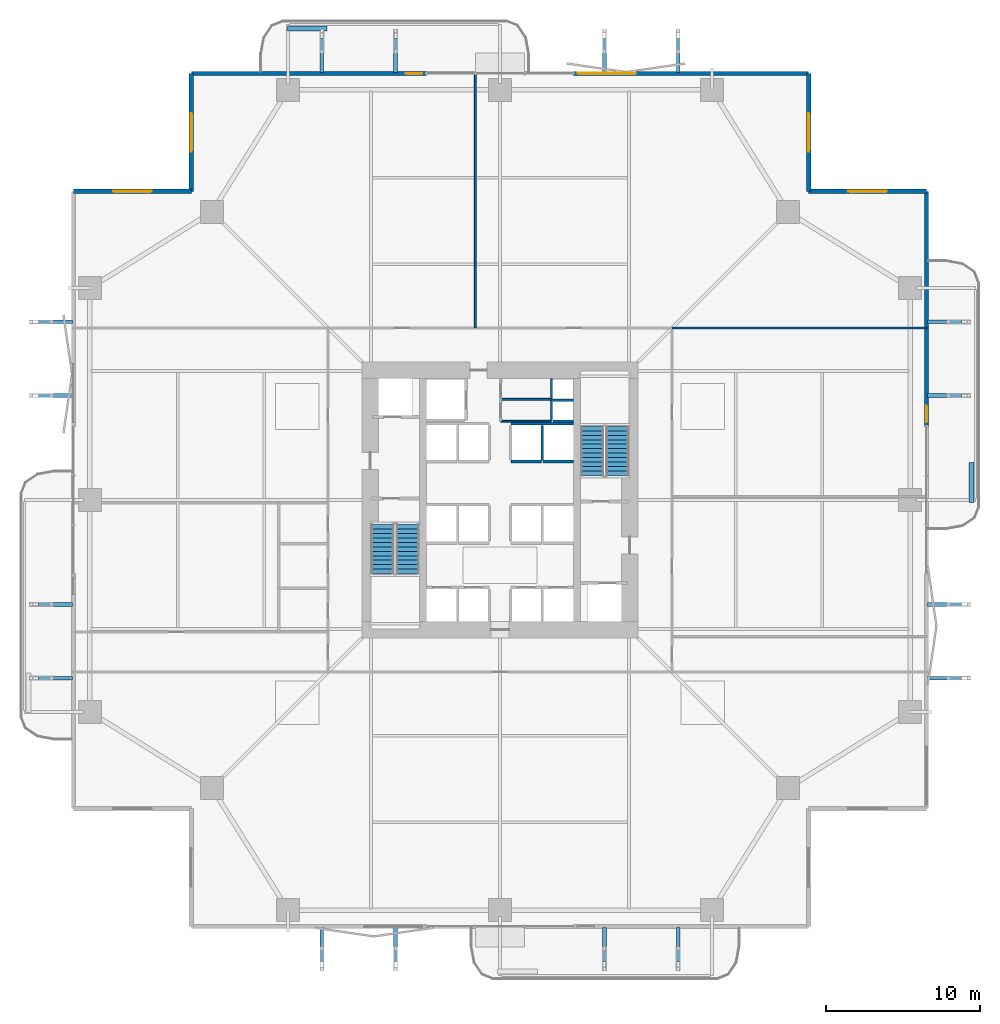
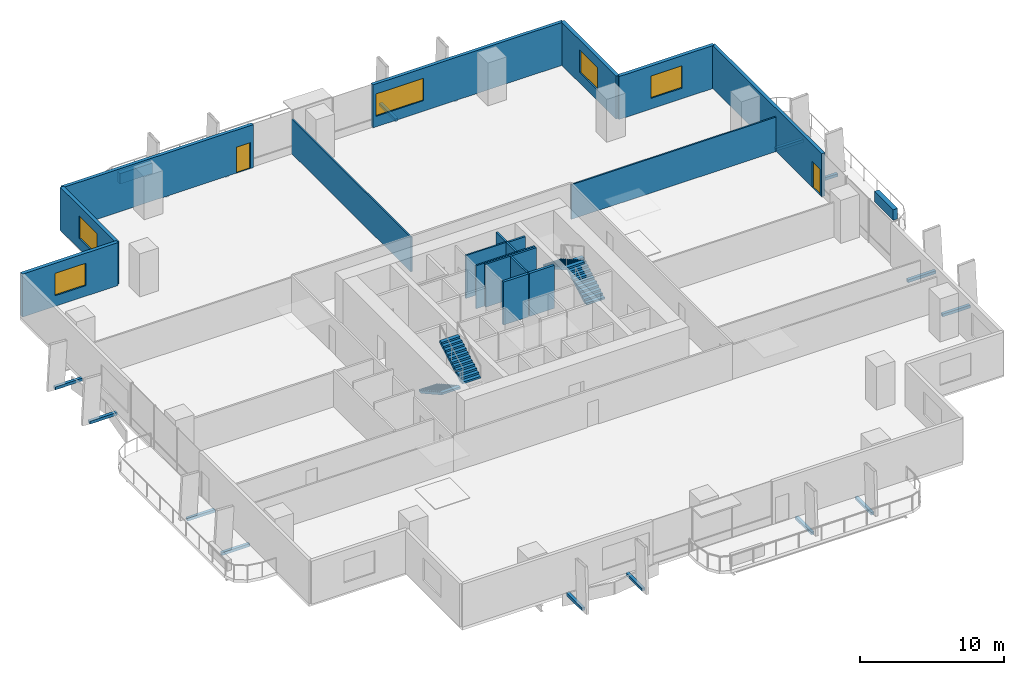
# One storey, part 19 of 23: 20 walls, 16 discrete accessories, 5 windows, 4 stair flights, 2 doors, 7 openings, 2 elements without a shape of their own.
"""IFC4 building model written with IfcOpenShell, lengths in metres."""

from ifc_helpers import new_model, si_unit, direction, frame, frame_2d, origin, origin_2d, place, context, subcontext, project, spatial, polyline, rectangle, outline, extrude, material, layer, layer_set, type_object, element, fill, aggregate, save


model = new_model("IFC4")

# Units and contexts
model_context = context("Model", 3, precision=1e-05, world=origin(), true_north=direction((0.0, 1.0)))
body_context = subcontext(model_context, "Body", "Model", "MODEL_VIEW")
ifc_project = project(units=[si_unit("LENGTHUNIT", "METRE"), si_unit("AREAUNIT", "SQUARE_METRE"), si_unit("VOLUMEUNIT", "CUBIC_METRE"), si_unit("PLANEANGLEUNIT", "RADIAN"), si_unit("MASSUNIT", "GRAM", prefix="KILO")], contexts=[model_context])

# Site, building, storey
site_placement = place(None, origin())
site = spatial("IfcSite", under=ifc_project, at=site_placement, CompositionType="ELEMENT")
building_placement = place(site_placement, origin())
building = spatial("IfcBuilding", under=site, at=building_placement, Name="Belovzor Exchange Tower", CompositionType="ELEMENT")
storey_placement = place(building_placement, frame((0.0, 0.0, 57.300048828125)))
storey = spatial("IfcBuildingStorey", under=building, at=storey_placement, Name="L13", CompositionType="ELEMENT", Elevation=57.300048828125)

# Walls
ifc_material_1 = material(Name="Acoustic Plasterboard on Galvanised Studs", Category="gypsum")
ifc_layer_1 = layer(ifc_material_1, 0.1201171875)
ifc_layer_set_1 = layer_set([ifc_layer_1], Name="Acoustic Plasterboard on Galvanised Studs")
wall_type_1 = type_object("IfcWallType", Name="Acoustic Double-Stud Partition Wall 120", PredefinedType="PARTITIONING", material=ifc_layer_set_1)
for number, where, z_axis, x_axis, name in (
    (1, (27.197998046875, 40.0, 0.0), (0.0, 0.0, 1.0), (0.0, 1.0, 0.0), "W-P120 Partition Wall W-L13-NDIV-1"),
    (2, (40.0, 40.0, 0.0), (0.0, 0.0, 1.0), (1.0, 0.0, 0.0), "W-P120 Partition Wall W-L13-END-NE"),
):
    element("IfcWall", number, at=place(storey_placement, frame(where, z_axis=z_axis, x_axis=x_axis)), inside=storey, type_object=wall_type_1, Name=name, PredefinedType="PARTITIONING", context=body_context, shape_type="SweptSolid", body=[
        extrude(rectangle(XDim=16.570068359375, YDim=0.1201171875, at=frame_2d((8.28515625, 0.0))), origin(), (0.0, 0.0, 1.0), 2.93505859375),
    ])
ifc_material_2 = material(Name="Fire-Rated Plasterboard on Galvanised Studs", Category="gypsum")
ifc_layer_2 = layer(ifc_material_2, 0.1201171875)
ifc_layer_set_2 = layer_set([ifc_layer_2], Name="Fire-Rated Plasterboard on Galvanised Studs")
wall_type_2 = type_object("IfcWallType", Name="Fire-Rated Double-Stud Partition Wall 120", PredefinedType="PARTITIONING", material=ifc_layer_set_2)
for number, where, z_axis, x_axis, name in (
    (3, (28.85009765625, 35.35009765625, 0.0), (0.0, 0.0, 1.0), (1.0, 0.0, 0.0), "W-P120F Partition Wall W-CRV-L13-M"),
    (4, (28.85009765625, 33.925048828125, 0.0), (0.0, 0.0, 1.0), (1.0, 0.0, 0.0), "W-P120F Partition Wall W-CRV-L13-S"),
):
    element("IfcWall", number, at=place(storey_placement, frame(where, z_axis=z_axis, x_axis=x_axis)), inside=storey, type_object=wall_type_2, Name=name, PredefinedType="PARTITIONING", context=body_context, shape_type="SweptSolid", body=[
        extrude(rectangle(XDim=3.2998046875, YDim=0.1201171875, at=frame_2d((1.64990234375, 0.0))), origin(), (0.0, 0.0, 1.0), 3.64990234375),
    ])

# Wall, opening, window
ifc_material_3 = material(Name="Precast concrete C40/50", Category="concrete")
ifc_layer_3 = layer(ifc_material_3, 0.280029296875)
ifc_layer_set_3 = layer_set([ifc_layer_3], Name="Precast concrete C40/50")
wall_type_3 = type_object("IfcWallType", Name="Precast Concrete Notched Corner Frame Wall 280", PredefinedType="SOLIDWALL", material=ifc_layer_set_3)
wall_1_placement = place(storey_placement, frame((1.030029296875, 48.89990234375, 0.0), z_axis=(0.0, 0.0, 1.0), x_axis=(1.0, 0.0, 0.0)))
wall_1 = element("IfcWall", 5, at=wall_1_placement, inside=storey, type_object=wall_type_3, Name="W-CRN280 Precast Concrete Notched Corner Frame Wall 280 L13", PredefinedType="SOLIDWALL", context=body_context, shape_type="SweptSolid", body=[
    extrude(rectangle(XDim=7.669921875, YDim=0.280029296875, at=frame_2d((3.8349609375, 0.0))), origin(), (0.0, 0.0, 1.0), 3.64990234375),
])
opening_1_placement = place(wall_1_placement, frame((2.5849609375, 0.0, 0.89990234375)))
opening_1 = element("IfcOpeningElement", 6, at=opening_1_placement, cuts=wall_1, Name="Opening WN-CRN250", PredefinedType="OPENING", context=body_context, shape_type="SweptSolid", body=[
    extrude(rectangle(XDim=2.5, YDim=1.89990234375, at=frame_2d((1.25, 0.949951171875))), frame((0.0, 0.14990234375, 0.0), z_axis=(0.0, -1.0, 0.0), x_axis=(1.0, 0.0, 0.0)), (0.0, 0.0, 1.0), 0.300048828125),
])
ifc_material_4 = material(Name="Thermally Broken Aluminium and Triple Glazing", Category="aluminium")
window_type_1 = type_object("IfcWindowType", Name="Streamline Moderne Corner Wrap Ribbon Window 2500x1900", PartitioningType="SINGLE_PANEL", PredefinedType="WINDOW", material=ifc_material_4)
window_1_placement = place(opening_1_placement, origin())
window_1 = element("IfcWindow", 7, at=window_1_placement, inside=storey, type_object=window_type_1, Name="WN-CRN250 Streamline Moderne Corner Wrap Ribbon Window 2500x1900", OverallHeight=1.89990234375, OverallWidth=2.5, PartitioningType="SINGLE_PANEL", PredefinedType="WINDOW", context=body_context, shape_type="SweptSolid", body=[
    extrude(rectangle(XDim=2.5, YDim=1.89990234375, at=frame_2d((1.25, 0.949951171875))), frame((0.0, 0.030029296875, 0.0), z_axis=(0.0, -1.0, 0.0), x_axis=(1.0, 0.0, 0.0)), (0.0, 0.0, 1.0), 0.06005859375),
])
fill(opening_1, window_1)

wall_2_placement = place(storey_placement, frame((8.699951171875, 48.89990234375, 0.0), z_axis=(0.0, 0.0, 1.0), x_axis=(0.0, 1.0, 0.0)))
wall_2 = element("IfcWall", 8, at=wall_2_placement, inside=storey, type_object=wall_type_3, Name="W-CRN280 Precast Concrete Notched Corner Frame Wall 280 L13", PredefinedType="SOLIDWALL", context=body_context, shape_type="SweptSolid", body=[
    extrude(rectangle(XDim=7.670166015625, YDim=0.280029296875, at=frame_2d((3.8349609375, 0.0))), origin(), (0.0, 0.0, 1.0), 3.64990234375),
])
opening_2_placement = place(wall_2_placement, frame((2.5849609375, 0.0, 0.89990234375)))
opening_2 = element("IfcOpeningElement", 9, at=opening_2_placement, cuts=wall_2, Name="Opening WN-CRN250", PredefinedType="OPENING", context=body_context, shape_type="SweptSolid", body=[
    extrude(rectangle(XDim=2.5, YDim=1.89990234375, at=frame_2d((1.25, 0.949951171875))), frame((0.0, 0.14990234375, 0.0), z_axis=(0.0, -1.0, 0.0), x_axis=(1.0, 0.0, 0.0)), (0.0, 0.0, 1.0), 0.300048828125),
])
window_2_placement = place(opening_2_placement, origin())
window_2 = element("IfcWindow", 10, at=window_2_placement, inside=storey, type_object=window_type_1, Name="WN-CRN250 Streamline Moderne Corner Wrap Ribbon Window 2500x1900", OverallHeight=1.89990234375, OverallWidth=2.5, PartitioningType="SINGLE_PANEL", PredefinedType="WINDOW", context=body_context, shape_type="SweptSolid", body=[
    extrude(rectangle(XDim=2.5, YDim=1.89990234375, at=frame_2d((1.25, 0.949951171875))), frame((0.0, 0.030029296875, 0.0), z_axis=(0.0, -1.0, 0.0), x_axis=(1.0, 0.0, 0.0)), (0.0, 0.0, 1.0), 0.06005859375),
])
fill(opening_2, window_2)

wall_3_placement = place(storey_placement, frame((48.89990234375, 56.570068359375, 0.0), z_axis=(0.0, 0.0, 1.0), x_axis=(0.0, -1.0, 0.0)))
wall_3 = element("IfcWall", 11, at=wall_3_placement, inside=storey, type_object=wall_type_3, Name="W-CRN280 Precast Concrete Notched Corner Frame Wall 280 L13", PredefinedType="SOLIDWALL", context=body_context, shape_type="SweptSolid", body=[
    extrude(rectangle(XDim=7.670166015625, YDim=0.280029296875, at=frame_2d((3.8349609375, 0.0))), origin(), (0.0, 0.0, 1.0), 3.64990234375),
])
opening_3_placement = place(wall_3_placement, frame((2.5849609375, 0.0, 0.89990234375)))
opening_3 = element("IfcOpeningElement", 12, at=opening_3_placement, cuts=wall_3, Name="Opening WN-CRN250", PredefinedType="OPENING", context=body_context, shape_type="SweptSolid", body=[
    extrude(rectangle(XDim=2.5, YDim=1.89990234375, at=frame_2d((1.25, 0.949951171875))), frame((0.0, 0.14990234375, 0.0), z_axis=(0.0, -1.0, 0.0), x_axis=(1.0, 0.0, 0.0)), (0.0, 0.0, 1.0), 0.300048828125),
])
window_3_placement = place(opening_3_placement, origin())
window_3 = element("IfcWindow", 13, at=window_3_placement, inside=storey, type_object=window_type_1, Name="WN-CRN250 Streamline Moderne Corner Wrap Ribbon Window 2500x1900", OverallHeight=1.89990234375, OverallWidth=2.5, PartitioningType="SINGLE_PANEL", PredefinedType="WINDOW", context=body_context, shape_type="SweptSolid", body=[
    extrude(rectangle(XDim=2.5, YDim=1.89990234375, at=frame_2d((1.25, 0.949951171875))), frame((0.0, 0.030029296875, 0.0), z_axis=(0.0, -1.0, 0.0), x_axis=(1.0, 0.0, 0.0)), (0.0, 0.0, 1.0), 0.06005859375),
])
fill(opening_3, window_3)

wall_4_placement = place(storey_placement, frame((48.89990234375, 48.89990234375, 0.0), z_axis=(0.0, 0.0, 1.0), x_axis=(1.0, 0.0, 0.0)))
wall_4 = element("IfcWall", 14, at=wall_4_placement, inside=storey, type_object=wall_type_3, Name="W-CRN280 Precast Concrete Notched Corner Frame Wall 280 L13", PredefinedType="SOLIDWALL", context=body_context, shape_type="SweptSolid", body=[
    extrude(rectangle(XDim=7.670166015625, YDim=0.280029296875, at=frame_2d((3.8349609375, 0.0))), origin(), (0.0, 0.0, 1.0), 3.64990234375),
])
opening_4_placement = place(wall_4_placement, frame((2.5849609375, 0.0, 0.89990234375)))
opening_4 = element("IfcOpeningElement", 15, at=opening_4_placement, cuts=wall_4, Name="Opening WN-CRN250", PredefinedType="OPENING", context=body_context, shape_type="SweptSolid", body=[
    extrude(rectangle(XDim=2.5, YDim=1.89990234375, at=frame_2d((1.25, 0.949951171875))), frame((0.0, 0.14990234375, 0.0), z_axis=(0.0, -1.0, 0.0), x_axis=(1.0, 0.0, 0.0)), (0.0, 0.0, 1.0), 0.300048828125),
])
window_4_placement = place(opening_4_placement, origin())
window_4 = element("IfcWindow", 16, at=window_4_placement, inside=storey, type_object=window_type_1, Name="WN-CRN250 Streamline Moderne Corner Wrap Ribbon Window 2500x1900", OverallHeight=1.89990234375, OverallWidth=2.5, PartitioningType="SINGLE_PANEL", PredefinedType="WINDOW", context=body_context, shape_type="SweptSolid", body=[
    extrude(rectangle(XDim=2.5, YDim=1.89990234375, at=frame_2d((1.25, 0.949951171875))), frame((0.0, 0.030029296875, 0.0), z_axis=(0.0, -1.0, 0.0), x_axis=(1.0, 0.0, 0.0)), (0.0, 0.0, 1.0), 0.06005859375),
])
fill(opening_4, window_4)

# Wall, opening, door
ifc_material_5 = material(Name="Precast concrete C40/50", Category="concrete")
ifc_layer_4 = layer(ifc_material_5, 0.260009765625)
ifc_layer_set_4 = layer_set([ifc_layer_4], Name="Precast concrete C40/50")
wall_type_4 = type_object("IfcWallType", Name="Precast Concrete Perimeter Loggia Frame Wall 260", PredefinedType="SOLIDWALL", material=ifc_layer_set_4)
wall_5_placement = place(storey_placement, frame((8.699951171875, 56.570068359375, 0.0), z_axis=(0.0, 0.0, 1.0), x_axis=(1.0, 0.0, 0.0)))
wall_5 = element("IfcWall", 17, at=wall_5_placement, inside=storey, type_object=wall_type_4, Name="W-EXT260 Precast Concrete Perimeter Loggia Frame Wall 260 L13", PredefinedType="SOLIDWALL", context=body_context, shape_type="SweptSolid", body=[
    extrude(rectangle(XDim=15.300048828125, YDim=0.260009765625, at=frame_2d((7.64990234375, 0.0))), origin(), (0.0, 0.0, 1.0), 3.64990234375),
])
opening_5_placement = place(wall_5_placement, frame((13.949951171875, 0.0, 0.0)))
opening_5 = element("IfcOpeningElement", 18, at=opening_5_placement, cuts=wall_5, Name="Opening D-BAL110", PredefinedType="OPENING", context=body_context, shape_type="SweptSolid", body=[
    extrude(rectangle(XDim=1.10009765625, YDim=2.199951171875, at=frame_2d((0.550048828125, 1.10009765625))), frame((0.0, 0.139892578125, 0.0), z_axis=(0.0, -1.0, 0.0), x_axis=(1.0, 0.0, 0.0)), (0.0, 0.0, 1.0), 0.280029296875),
])
ifc_material_6 = material(Name="Thermally Broken Anodised Aluminium and Laminated Glass", Category="aluminium")
door_type = type_object("IfcDoorType", Name="Planted Loggia Terrace Glazed Door 1100x2200", OperationType="SINGLE_SWING_LEFT", PredefinedType="DOOR", material=ifc_material_6)
door_1_placement = place(opening_5_placement, origin())
door_1 = element("IfcDoor", 19, at=door_1_placement, inside=storey, type_object=door_type, Name="D-BAL110 Balcony Terrace Door L13 N", OperationType="SINGLE_SWING_RIGHT", OverallHeight=2.199951171875, OverallWidth=1.10009765625, PredefinedType="DOOR", context=body_context, shape_type="SweptSolid", body=[
    extrude(rectangle(XDim=1.10009765625, YDim=2.199951171875, at=frame_2d((0.550048828125, 1.10009765625))), frame((0.0, 0.02490234375, 0.0), z_axis=(0.0, -1.0, 0.0), x_axis=(1.0, 0.0, 0.0)), (0.0, 0.0, 1.0), 0.050048828125),
])
fill(opening_5, door_1)

# Wall, opening, window
wall_6_placement = place(storey_placement, frame((33.60009765625, 56.570068359375, 0.0), z_axis=(0.0, 0.0, 1.0), x_axis=(1.0, 0.0, 0.0)))
wall_6 = element("IfcWall", 20, at=wall_6_placement, inside=storey, type_object=wall_type_4, Name="W-EXT260 Precast Concrete Perimeter Loggia Frame Wall 260 L13", PredefinedType="SOLIDWALL", context=body_context, shape_type="SweptSolid", body=[
    extrude(rectangle(XDim=15.2998046875, YDim=0.260009765625, at=frame_2d((7.64990234375, 0.0))), origin(), (0.0, 0.0, 1.0), 3.64990234375),
])
opening_6_placement = place(wall_6_placement, frame((0.25, 0.0, 0.89990234375)))
opening_6 = element("IfcOpeningElement", 21, at=opening_6_placement, cuts=wall_6, Name="Opening WN-RIB380", PredefinedType="OPENING", context=body_context, shape_type="SweptSolid", body=[
    extrude(rectangle(XDim=3.800048828125, YDim=1.89990234375, at=frame_2d((1.89990234375, 0.949951171875))), frame((0.0, 0.139892578125, 0.0), z_axis=(0.0, -1.0, 0.0), x_axis=(1.0, 0.0, 0.0)), (0.0, 0.0, 1.0), 0.280029296875),
])
ifc_material_7 = material(Name="Thermally Broken Aluminium and Triple Glazing", Category="aluminium")
window_type_2 = type_object("IfcWindowType", Name="Streamline Moderne Horizontal Ribbon Window 3800x1900", PartitioningType="SINGLE_PANEL", PredefinedType="WINDOW", material=ifc_material_7)
window_5_placement = place(opening_6_placement, origin())
window_5 = element("IfcWindow", 22, at=window_5_placement, inside=storey, type_object=window_type_2, Name="WN-RIB380 Streamline Moderne Horizontal Ribbon Window 3800x1900", OverallHeight=1.89990234375, OverallWidth=3.800048828125, PartitioningType="SINGLE_PANEL", PredefinedType="WINDOW", context=body_context, shape_type="SweptSolid", body=[
    extrude(rectangle(XDim=3.800048828125, YDim=1.89990234375, at=frame_2d((1.89990234375, 0.949951171875))), frame((0.0, 0.030029296875, 0.0), z_axis=(0.0, -1.0, 0.0), x_axis=(1.0, 0.0, 0.0)), (0.0, 0.0, 1.0), 0.06005859375),
])
fill(opening_6, window_5)

# Wall, opening, door
wall_7_placement = place(storey_placement, frame((56.570068359375, 48.89990234375, 0.0), z_axis=(0.0, 0.0, 1.0), x_axis=(0.0, -1.0, 0.0)))
wall_7 = element("IfcWall", 23, at=wall_7_placement, inside=storey, type_object=wall_type_4, Name="W-EXT260 Precast Concrete Perimeter Loggia Frame Wall 260 L13", PredefinedType="SOLIDWALL", context=body_context, shape_type="SweptSolid", body=[
    extrude(rectangle(XDim=15.2998046875, YDim=0.260009765625, at=frame_2d((7.64990234375, 0.0))), origin(), (0.0, 0.0, 1.0), 3.64990234375),
])
opening_7_placement = place(wall_7_placement, frame((13.949951171875, 0.0, 0.0)))
opening_7 = element("IfcOpeningElement", 24, at=opening_7_placement, cuts=wall_7, Name="Opening D-BAL110", PredefinedType="OPENING", context=body_context, shape_type="SweptSolid", body=[
    extrude(rectangle(XDim=1.10009765625, YDim=2.199951171875, at=frame_2d((0.550048828125, 1.10009765625))), frame((0.0, 0.139892578125, 0.0), z_axis=(0.0, -1.0, 0.0), x_axis=(1.0, 0.0, 0.0)), (0.0, 0.0, 1.0), 0.280029296875),
])
door_2_placement = place(opening_7_placement, origin())
door_2 = element("IfcDoor", 25, at=door_2_placement, inside=storey, type_object=door_type, Name="D-BAL110 Balcony Terrace Door L13 E", OperationType="SINGLE_SWING_LEFT", OverallHeight=2.199951171875, OverallWidth=1.10009765625, PredefinedType="DOOR", context=body_context, shape_type="SweptSolid", body=[
    extrude(rectangle(XDim=1.10009765625, YDim=2.199951171875, at=frame_2d((0.550048828125, 1.10009765625))), frame((0.0, 0.02490234375, 0.0), z_axis=(0.0, -1.0, 0.0), x_axis=(1.0, 0.0, 0.0)), (0.0, 0.0, 1.0), 0.050048828125),
])
fill(opening_7, door_2)

# Walls
ifc_material_8 = material(Name="Precast concrete C40/50", Category="concrete")
ifc_layer_5 = layer(ifc_material_8, 0.35009765625)
ifc_layer_set_5 = layer_set([ifc_layer_5], Name="Precast concrete C40/50")
wall_type_5 = type_object("IfcWallType", Name="Precast Concrete Structural Tree Planter Trough 350", PredefinedType="PARAPET", material=ifc_layer_set_5)
for number, where, z_axis, x_axis, name in (
    (26, (14.949951171875, 59.5, 0.0), (0.0, 0.0, 1.0), (1.0, 0.0, 0.0), "PT-350 Precast Concrete Structural Tree Planter Trough 350 L13"),
    (27, (59.5, 28.64990234375, 0.0), (0.0, 0.0, 1.0), (0.0, 1.0, 0.0), "PT-350 Precast Concrete Structural Tree Planter Trough 350 L13"),
):
    element("IfcWall", number, at=place(storey_placement, frame(where, z_axis=z_axis, x_axis=x_axis)), inside=storey, type_object=wall_type_5, Name=name, PredefinedType="PARAPET", context=body_context, shape_type="SweptSolid", body=[
        extrude(rectangle(XDim=2.60009765625, YDim=0.35009765625, at=frame_2d((1.300048828125, 0.0))), origin(), (0.0, 0.0, 1.0), 0.89990234375),
    ])
ifc_material_9 = material(Name="Concrete C50/60", Category="concrete")
ifc_layer_6 = layer(ifc_material_9, 0.14990234375)
ifc_layer_set_6 = layer_set([ifc_layer_6], Name="Concrete C50/60")
wall_type_6 = type_object("IfcWallType", Name="Reinforced Concrete Core Riser Shear Wall 150", PredefinedType="SHEAR", material=ifc_layer_set_6)
wall_8_placement = place(storey_placement, frame((32.14990234375, 34.0, 0.0), z_axis=(0.0, 0.0, 1.0), x_axis=(0.0, 1.0, 0.0)))
element("IfcWall", 28, at=wall_8_placement, inside=storey, type_object=wall_type_6, Name="W-C150S Core Shaft Wall W-RSR-L13-E", PredefinedType="SHEAR", context=body_context, shape_type="SweptSolid", body=[
    extrude(rectangle(XDim=2.699951171875, YDim=0.14990234375, at=frame_2d((1.35009765625, 0.0))), origin(), (0.0, 0.0, 1.0), 3.64990234375),
])
for number, where, z_axis, x_axis, name in (
    (29, (32.25, 33.925048828125, 0.0), (0.0, 0.0, 1.0), (1.0, 0.0, 0.0), "W-C150S Core Shaft Wall W-RSR-L13-S"),
    (30, (32.25, 35.300048828125, 0.0), (0.0, 0.0, 1.0), (1.0, 0.0, 0.0), "W-C150S Core Shaft Wall W-RSR-L13-M"),
):
    element("IfcWall", number, at=place(storey_placement, frame(where, z_axis=z_axis, x_axis=x_axis)), inside=storey, type_object=wall_type_6, Name=name, PredefinedType="SHEAR", context=body_context, shape_type="SweptSolid", body=[
        extrude(rectangle(XDim=1.330078125, YDim=0.14990234375, at=frame_2d((0.6650390625, 0.0))), origin(), (0.0, 0.0, 1.0), 3.64990234375),
    ])
wall_9_placement = place(storey_placement, frame((29.5, 33.760009765625, 0.0), z_axis=(0.0, 0.0, 1.0), x_axis=(1.0, 0.0, 0.0)))
element("IfcWall", 31, at=wall_9_placement, inside=storey, type_object=wall_type_6, Name="W-C150S Core Shaft Wall W-SHB-L13-PLH-NE", PredefinedType="SHEAR", context=body_context, shape_type="SweptSolid", body=[
    extrude(rectangle(XDim=4.080078125, YDim=0.14990234375, at=frame_2d((2.0400390625, 0.0))), origin(), (0.0, 0.0, 1.0), 3.64990234375),
])
wall_10_placement = place(storey_placement, frame((31.550048828125, 31.419921875, 0.0), z_axis=(0.0, 0.0, 1.0), x_axis=(0.0, 1.0, 0.0)))
element("IfcWall", 32, at=wall_10_placement, inside=storey, type_object=wall_type_6, Name="W-C150S Core Shaft Wall W-SHD-L13-PLH-4", PredefinedType="SHEAR", context=body_context, shape_type="SweptSolid", body=[
    extrude(rectangle(XDim=2.239990234375, YDim=0.14990234375, at=frame_2d((1.1201171875, 0.0))), origin(), (0.0, 0.0, 1.0), 3.64990234375),
])
ifc_material_10 = material(Name="Concrete C50/60", Category="concrete")
ifc_layer_7 = layer(ifc_material_10, 0.199951171875)
ifc_layer_set_7 = layer_set([ifc_layer_7], Name="Concrete C50/60")
wall_type_7 = type_object("IfcWallType", Name="Reinforced Concrete Core Shaft Shear Wall 200", PredefinedType="SHEAR", material=ifc_layer_set_7)
for number, where, z_axis, x_axis, name in (
    (33, (29.5, 31.300048828125, 0.0), (0.0, 0.0, 1.0), (1.0, 0.0, 0.0), "W-C200S Core Shaft Wall W-SH-L13-PL-H3"),
    (34, (31.60009765625, 31.300048828125, 0.0), (0.0, 0.0, 1.0), (1.0, 0.0, 0.0), "W-C200S Core Shaft Wall W-SH-L13-PL-H4"),
):
    element("IfcWall", number, at=place(storey_placement, frame(where, z_axis=z_axis, x_axis=x_axis)), inside=storey, type_object=wall_type_7, Name=name, PredefinedType="SHEAR", context=body_context, shape_type="SweptSolid", body=[
        extrude(rectangle(XDim=2.0, YDim=0.199951171875, at=frame_2d((1.0, 0.0))), origin(), (0.0, 0.0, 1.0), 3.64990234375),
    ])

# Stair, stair flights
ifc_material_11 = material(Name="Concrete C40/50", Category="concrete")
stair_type = type_object("IfcStairType", Name="Reinforced Concrete Dogleg Escape Stair 1350", PredefinedType="HALF_TURN_STAIR", material=ifc_material_11)
stair_1_placement = place(storey_placement, origin())
stair_1 = element("IfcStair", 35, at=stair_1_placement, inside=storey, type_object=stair_type, Name="L13 ST-1", PredefinedType="HALF_TURN_STAIR")
ifc_material_12 = material(Name="Concrete C40/50", Category="concrete")
stair_flight_type = type_object("IfcStairFlightType", Name="Reinforced Concrete Stair Flight 1350", PredefinedType="STRAIGHT", material=ifc_material_12)
stair_flight_1_placement = place(storey_placement, frame((21.14990234375, 27.199951171875, 0.0), z_axis=(0.0, 0.0, 1.0), x_axis=(0.0, -1.0, 0.0)))
stair_flight_1 = element("IfcStairFlight", 36, at=stair_flight_1_placement, type_object=stair_flight_type, Name="ST-1 flight 1", NumberOfRisers=12, NumberOfTreads=11, PredefinedType="STRAIGHT", RiserHeight=0.1625, TreadLength=0.29, context=body_context, shape_type="SweptSolid", body=[
    extrude(outline(polyline([(0.0, 0.0), (0.0, 0.16259765625), (0.2900390625, 0.16259765625), (0.2900390625, 0.324951171875), (0.580078125, 0.324951171875), (0.580078125, 0.487548828125), (0.8701171875, 0.487548828125), (0.8701171875, 0.64990234375), (1.159912109375, 0.64990234375), (1.159912109375, 0.8125), (1.449951171875, 0.8125), (1.449951171875, 0.97509765625), (1.739990234375, 0.97509765625), (1.739990234375, 1.137451171875), (2.030029296875, 1.137451171875), (2.030029296875, 1.300048828125), (2.320068359375, 1.300048828125), (2.320068359375, 1.46240234375), (2.610107421875, 1.46240234375), (2.610107421875, 1.625), (2.89990234375, 1.625), (2.89990234375, 1.78759765625), (3.18994140625, 1.78759765625), (3.18994140625, 1.949951171875), (3.18994140625, 1.61572265625), (0.306640625, 0.0), (0.0, 0.0)])), frame((0.0, 0.75, 0.0), z_axis=(0.0, -1.0, 0.0), x_axis=(1.0, 0.0, 0.0)), (0.0, 0.0, 1.0), 1.5),
])
stair_flight_2_placement = place(storey_placement, frame((22.800048828125, 24.010009765625, 1.949951171875), z_axis=(0.0, 0.0, 1.0), x_axis=(0.0, 1.0, 0.0)))
stair_flight_2 = element("IfcStairFlight", 37, at=stair_flight_2_placement, type_object=stair_flight_type, Name="ST-1 flight 2", NumberOfRisers=12, NumberOfTreads=11, PredefinedType="STRAIGHT", RiserHeight=0.1625, TreadLength=0.29, context=body_context, shape_type="SweptSolid", body=[
    extrude(outline(polyline([(0.0, 0.0), (0.0, 0.16259765625), (0.2900390625, 0.16259765625), (0.2900390625, 0.324951171875), (0.580078125, 0.324951171875), (0.580078125, 0.487548828125), (0.8701171875, 0.487548828125), (0.8701171875, 0.64990234375), (1.159912109375, 0.64990234375), (1.159912109375, 0.8125), (1.449951171875, 0.8125), (1.449951171875, 0.97509765625), (1.739990234375, 0.97509765625), (1.739990234375, 1.137451171875), (2.030029296875, 1.137451171875), (2.030029296875, 1.300048828125), (2.320068359375, 1.300048828125), (2.320068359375, 1.46240234375), (2.610107421875, 1.46240234375), (2.610107421875, 1.625), (2.89990234375, 1.625), (2.89990234375, 1.78759765625), (3.18994140625, 1.78759765625), (3.18994140625, 1.949951171875), (3.18994140625, 1.61572265625), (0.306640625, 0.0), (0.0, 0.0)])), frame((0.0, 0.75, 0.0), z_axis=(0.0, -1.0, 0.0), x_axis=(1.0, 0.0, 0.0)), (0.0, 0.0, 1.0), 1.5),
])
aggregate(stair_1, [stair_flight_1, stair_flight_2])

stair_2_placement = place(storey_placement, origin())
stair_2 = element("IfcStair", 38, at=stair_2_placement, inside=storey, type_object=stair_type, Name="L13 ST-2", PredefinedType="HALF_TURN_STAIR")
stair_flight_3_placement = place(storey_placement, frame((36.449951171875, 30.39990234375, 0.0), z_axis=(0.0, 0.0, 1.0), x_axis=(0.0, 1.0, 0.0)))
stair_flight_3 = element("IfcStairFlight", 39, at=stair_flight_3_placement, type_object=stair_flight_type, Name="ST-2 flight 1", NumberOfRisers=12, NumberOfTreads=11, PredefinedType="STRAIGHT", RiserHeight=0.1625, TreadLength=0.29, context=body_context, shape_type="SweptSolid", body=[
    extrude(outline(polyline([(0.0, 0.0), (0.0, 0.16259765625), (0.2900390625, 0.16259765625), (0.2900390625, 0.324951171875), (0.580078125, 0.324951171875), (0.580078125, 0.487548828125), (0.8701171875, 0.487548828125), (0.8701171875, 0.64990234375), (1.159912109375, 0.64990234375), (1.159912109375, 0.8125), (1.449951171875, 0.8125), (1.449951171875, 0.97509765625), (1.739990234375, 0.97509765625), (1.739990234375, 1.137451171875), (2.030029296875, 1.137451171875), (2.030029296875, 1.300048828125), (2.320068359375, 1.300048828125), (2.320068359375, 1.46240234375), (2.610107421875, 1.46240234375), (2.610107421875, 1.625), (2.89990234375, 1.625), (2.89990234375, 1.78759765625), (3.18994140625, 1.78759765625), (3.18994140625, 1.949951171875), (3.18994140625, 1.61572265625), (0.306640625, 0.0), (0.0, 0.0)])), frame((0.0, 0.75, 0.0), z_axis=(0.0, -1.0, 0.0), x_axis=(1.0, 0.0, 0.0)), (0.0, 0.0, 1.0), 1.5),
])
stair_flight_4_placement = place(storey_placement, frame((34.800048828125, 33.590087890625, 1.949951171875), z_axis=(0.0, 0.0, 1.0), x_axis=(0.0, -1.0, 0.0)))
stair_flight_4 = element("IfcStairFlight", 40, at=stair_flight_4_placement, type_object=stair_flight_type, Name="ST-2 flight 2", NumberOfRisers=12, NumberOfTreads=11, PredefinedType="STRAIGHT", RiserHeight=0.1625, TreadLength=0.29, context=body_context, shape_type="SweptSolid", body=[
    extrude(outline(polyline([(0.0, 0.0), (0.0, 0.16259765625), (0.2900390625, 0.16259765625), (0.2900390625, 0.324951171875), (0.580078125, 0.324951171875), (0.580078125, 0.487548828125), (0.8701171875, 0.487548828125), (0.8701171875, 0.64990234375), (1.159912109375, 0.64990234375), (1.159912109375, 0.8125), (1.449951171875, 0.8125), (1.449951171875, 0.97509765625), (1.739990234375, 0.97509765625), (1.739990234375, 1.137451171875), (2.030029296875, 1.137451171875), (2.030029296875, 1.300048828125), (2.320068359375, 1.300048828125), (2.320068359375, 1.46240234375), (2.610107421875, 1.46240234375), (2.610107421875, 1.625), (2.89990234375, 1.625), (2.89990234375, 1.78759765625), (3.18994140625, 1.78759765625), (3.18994140625, 1.949951171875), (3.18994140625, 1.61572265625), (0.306640625, 0.0), (0.0, 0.0)])), frame((0.0, 0.75, 0.0), z_axis=(0.0, -1.0, 0.0), x_axis=(1.0, 0.0, 0.0)), (0.0, 0.0, 1.0), 1.5),
])
aggregate(stair_2, [stair_flight_3, stair_flight_4])

# Discrete accessories
ifc_material_13 = material(Name="Stainless Steel Grade 316", Category="steel")
ifc_layer_8 = layer(ifc_material_13, 0.179931640625)
ifc_layer_set_8 = layer_set([ifc_layer_8], Name="Stainless Steel Grade 316")
discrete_accessory_type = type_object("IfcDiscreteAccessoryType", Name="Stainless Steel Facade Outrigger Fixing Bracket", PredefinedType="BRACKET", material=ifc_layer_set_8)
for number, where, z_axis, x_axis, name in (
    (41, (17.199951171875, -0.132080078125, -0.2451171875), (0.0, 0.0, 1.0), (0.0, 1.0, 0.0), "BRK-FIN1 Sweeping Fin Outrigger Bracket L13 S1"),
    (42, (17.199951171875, 57.73095703125, -0.2451171875), (0.0, 0.0, 1.0), (0.0, 1.0, 0.0), "BRK-FIN1 Sweeping Fin Outrigger Bracket L13 N1"),
    (43, (-0.132080078125, 17.199951171875, -0.2451171875), (0.0, 0.0, 1.0), (1.0, 0.0, 0.0), "BRK-FIN1 Sweeping Fin Outrigger Bracket L13 W1"),
    (44, (57.73095703125, 17.199951171875, -0.2451171875), (0.0, 0.0, 1.0), (1.0, 0.0, 0.0), "BRK-FIN1 Sweeping Fin Outrigger Bracket L13 E1"),
    (45, (22.0, -0.132080078125, -0.2451171875), (0.0, 0.0, 1.0), (0.0, 1.0, 0.0), "BRK-FIN1 Sweeping Fin Outrigger Bracket L13 S2"),
    (46, (22.0, 57.73095703125, -0.2451171875), (0.0, 0.0, 1.0), (0.0, 1.0, 0.0), "BRK-FIN1 Sweeping Fin Outrigger Bracket L13 N2"),
    (47, (-0.132080078125, 22.0, -0.2451171875), (0.0, 0.0, 1.0), (1.0, 0.0, 0.0), "BRK-FIN1 Sweeping Fin Outrigger Bracket L13 W2"),
    (48, (57.73095703125, 22.0, -0.2451171875), (0.0, 0.0, 1.0), (1.0, 0.0, 0.0), "BRK-FIN1 Sweeping Fin Outrigger Bracket L13 E2"),
    (49, (35.60009765625, -0.132080078125, -0.2451171875), (0.0, 0.0, 1.0), (0.0, 1.0, 0.0), "BRK-FIN1 Sweeping Fin Outrigger Bracket L13 S3"),
    (50, (35.60009765625, 57.73095703125, -0.2451171875), (0.0, 0.0, 1.0), (0.0, 1.0, 0.0), "BRK-FIN1 Sweeping Fin Outrigger Bracket L13 N3"),
    (51, (-0.132080078125, 35.60009765625, -0.2451171875), (0.0, 0.0, 1.0), (1.0, 0.0, 0.0), "BRK-FIN1 Sweeping Fin Outrigger Bracket L13 W3"),
    (52, (57.73095703125, 35.60009765625, -0.2451171875), (0.0, 0.0, 1.0), (1.0, 0.0, 0.0), "BRK-FIN1 Sweeping Fin Outrigger Bracket L13 E3"),
    (53, (40.39990234375, -0.132080078125, -0.2451171875), (0.0, 0.0, 1.0), (0.0, 1.0, 0.0), "BRK-FIN1 Sweeping Fin Outrigger Bracket L13 S4"),
    (54, (40.39990234375, 57.73095703125, -0.2451171875), (0.0, 0.0, 1.0), (0.0, 1.0, 0.0), "BRK-FIN1 Sweeping Fin Outrigger Bracket L13 N4"),
    (55, (-0.132080078125, 40.39990234375, -0.2451171875), (0.0, 0.0, 1.0), (1.0, 0.0, 0.0), "BRK-FIN1 Sweeping Fin Outrigger Bracket L13 W4"),
    (56, (57.73095703125, 40.39990234375, -0.2451171875), (0.0, 0.0, 1.0), (1.0, 0.0, 0.0), "BRK-FIN1 Sweeping Fin Outrigger Bracket L13 E4"),
):
    element("IfcDiscreteAccessory", number, at=place(storey_placement, frame(where, z_axis=z_axis, x_axis=x_axis)), inside=storey, type_object=discrete_accessory_type, Name=name, PredefinedType="BRACKET", context=body_context, shape_type="SweptSolid", body=[
        extrude(rectangle(XDim=2.222900390625, YDim=0.239990234375, at=origin_2d()), origin(), (0.0, 0.0, 1.0), 0.239990234375),
    ])

save(model, "model.ifc")
